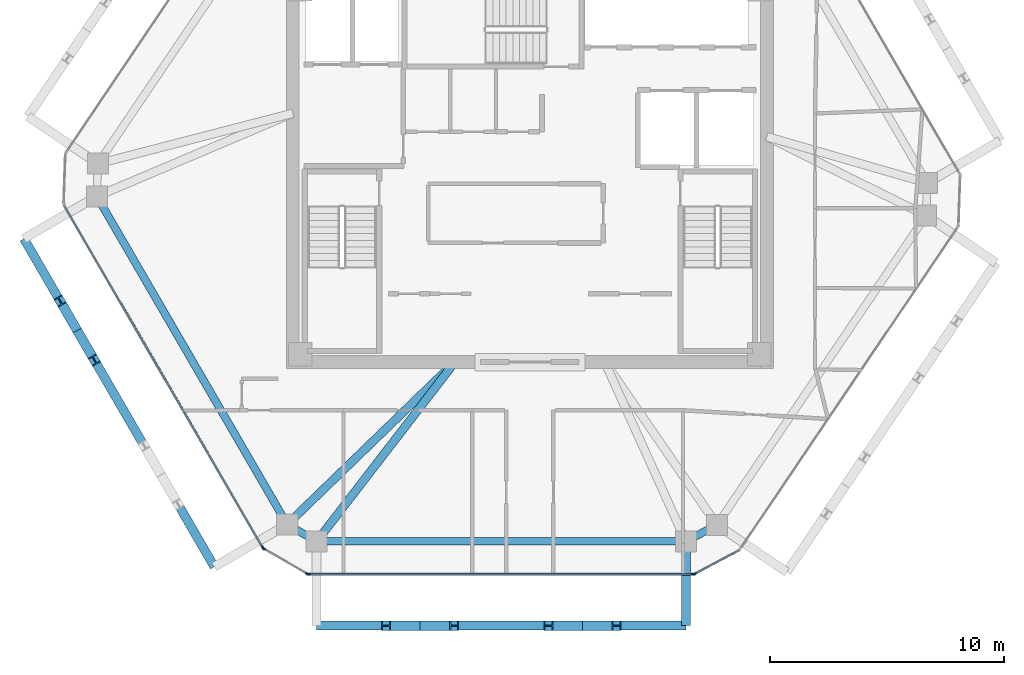
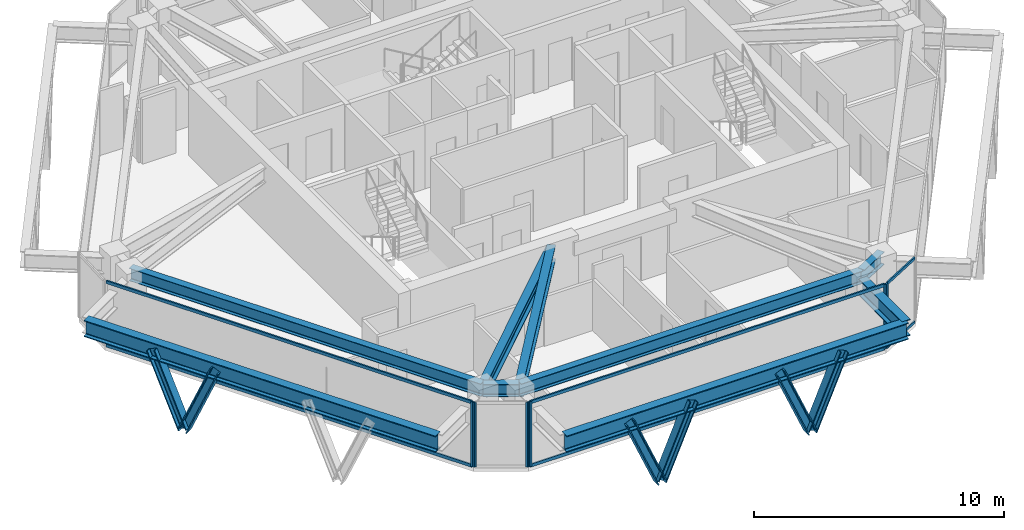
# One storey, part 2 of 11: 18 members, 9 beams, 4 elements without a shape of their own.
"""IFC4 building model written with IfcOpenShell, lengths in metres."""

from ifc_helpers import new_model, si_unit, direction, frame, origin, origin_2d, place, context, subcontext, project, spatial, rectangle, i_section, extrude, source, transform, mapped, material, layer, layer_set, material_profile, profile_set, type_object, type_shapes, element, aggregate, save


model = new_model("IFC4")

# Units and contexts
model_context = context("Model", 3, precision=1e-05, world=origin(), true_north=direction((0.0, 1.0)))
body_context = subcontext(model_context, "Body", "Model", "MODEL_VIEW")
ifc_project = project(units=[si_unit("LENGTHUNIT", "METRE"), si_unit("AREAUNIT", "SQUARE_METRE"), si_unit("VOLUMEUNIT", "CUBIC_METRE"), si_unit("PLANEANGLEUNIT", "RADIAN"), si_unit("MASSUNIT", "GRAM", prefix="KILO")], contexts=[model_context])

# Site, building, storey
site_placement = place(None, origin())
site = spatial("IfcSite", under=ifc_project, at=site_placement, CompositionType="ELEMENT")
building_placement = place(site_placement, origin())
building = spatial("IfcBuilding", under=site, at=building_placement, Name="Durnholm Broadcast Tower", CompositionType="ELEMENT")
storey_placement = place(building_placement, frame((0.0, 0.0, 258.10009765625)))
storey = spatial("IfcBuildingStorey", under=building, at=storey_placement, Name="L72", CompositionType="ELEMENT", Elevation=258.10009765625)

# Beams
ifc_material_1 = material(Name="Steel ASTM A992 Grade 50", Category="steel")
ifc_material_profile_1 = material_profile(ifc_material_1, i_section(OverallWidth=0.385009765625, OverallDepth=0.802978515625, WebThickness=0.023681640625, FlangeThickness=0.0419921875, FilletRadius=0.032958984375, at=origin_2d()), Name="W30X261")
ifc_profile_set_1 = profile_set([ifc_material_profile_1], Name="Steel ASTM A992 Grade 50")
beam_type_1 = type_object("IfcBeamType", Name="BM-EXO-TIE", PredefinedType="USERDEFINED", material=ifc_profile_set_1)
shared_shape_1 = source(origin(), body_context, "Body", "SweptSolid", [
    extrude(i_section(OverallWidth=0.385009765625, OverallDepth=0.802978515625, WebThickness=0.023681640625, FlangeThickness=0.0419921875, FilletRadius=0.032958984375, at=origin_2d()), origin(), (0.0, 0.0, 1.0), 3.4560546875),
])
beam_1_placement = place(storey_placement, frame((6.663818359375, -15.929931640625, 2.408447265625), z_axis=(0.0, -1.0, 0.0), x_axis=(1.0, 0.0, 0.0)))
element("IfcBeam", 1, at=beam_1_placement, inside=storey, type_object=beam_type_1, Name="L72 exoskeleton stand-off tie bracket F1.2", ObjectType="GIRDER", PredefinedType="USERDEFINED", context=body_context, shape_type="MappedRepresentation", body=[
    mapped(shared_shape_1, transform((0.0, 0.0, 0.0), x_axis=(1.0, 0.0, 0.0), y_axis=(0.0, 1.0, 0.0), z_axis=(0.0, 0.0, 1.0), scale=1.0)),
])
ifc_material_profile_2 = material_profile(ifc_material_1, i_section(OverallWidth=0.3251953125, OverallDepth=0.6162109375, WebThickness=0.013916015625, FlangeThickness=0.021484375, FilletRadius=0.02783203125, at=origin_2d()), Name="W24X117")
ifc_profile_set_2 = profile_set([ifc_material_profile_2], Name="Steel ASTM A992 Grade 50")
beam_type_2 = type_object("IfcBeamType", Name="STL-SP-W24X117", PredefinedType="SPANDREL", material=ifc_profile_set_2)
shared_shape_2 = source(origin(), body_context, "Body", "SweptSolid", [
    extrude(i_section(OverallWidth=0.3251953125, OverallDepth=0.6162109375, WebThickness=0.013916015625, FlangeThickness=0.021484375, FilletRadius=0.02783203125, at=origin_2d()), origin(), (0.0, 0.0, 1.0), 16.202880859375),
])
beam_2_placement = place(storey_placement, frame((-10.361328125, -15.061767578125, 2.8369140625), z_axis=(-0.501948303381, 0.864897624423, 0.0), x_axis=(-0.864897624423, -0.501948303381, 0.0)))
element("IfcBeam", 2, at=beam_2_placement, inside=storey, type_object=beam_type_2, Name="L72 perimeter spandrel girder 01", PredefinedType="SPANDREL", context=body_context, shape_type="MappedRepresentation", body=[
    mapped(shared_shape_2, transform((0.0, 0.0, 0.0), x_axis=(1.0, 0.0, 0.0), y_axis=(0.0, 1.0, 0.0), z_axis=(0.0, 0.0, 1.0), scale=1.0)),
])
shared_shape_3 = source(origin(), body_context, "Body", "SweptSolid", [
    extrude(i_section(OverallWidth=0.3251953125, OverallDepth=0.6162109375, WebThickness=0.013916015625, FlangeThickness=0.021484375, FilletRadius=0.02783203125, at=origin_2d()), origin(), (0.0, 0.0, 1.0), 1.502685546875),
])
beam_3_placement = place(storey_placement, frame((7.990966796875, -15.081298828125, 2.8369140625), z_axis=(-0.883241909673, -0.468917614296, 0.0), x_axis=(0.468917614296, -0.883241909673, 0.0)))
element("IfcBeam", 3, at=beam_3_placement, inside=storey, type_object=beam_type_2, Name="L72 perimeter spandrel girder 10", PredefinedType="SPANDREL", context=body_context, shape_type="MappedRepresentation", body=[
    mapped(shared_shape_3, transform((0.0, 0.0, 0.0), x_axis=(1.0, 0.0, 0.0), y_axis=(0.0, 1.0, 0.0), z_axis=(0.0, 0.0, 1.0), scale=1.0)),
])
shared_shape_4 = source(origin(), body_context, "Body", "SweptSolid", [
    extrude(i_section(OverallWidth=0.3251953125, OverallDepth=0.6162109375, WebThickness=0.013916015625, FlangeThickness=0.021484375, FilletRadius=0.02783203125, at=origin_2d()), origin(), (0.0, 0.0, 1.0), 15.767578125),
])
beam_4_placement = place(storey_placement, frame((6.663818359375, -15.785888671875, 2.8369140625), z_axis=(-1.0, 0.0, 0.0), x_axis=(0.0, -1.0, 0.0)))
element("IfcBeam", 4, at=beam_4_placement, inside=storey, type_object=beam_type_2, Name="L72 perimeter spandrel girder 11", PredefinedType="SPANDREL", context=body_context, shape_type="MappedRepresentation", body=[
    mapped(shared_shape_4, transform((0.0, 0.0, 0.0), x_axis=(1.0, 0.0, 0.0), y_axis=(0.0, 1.0, 0.0), z_axis=(0.0, 0.0, 1.0), scale=1.0)),
])
shared_shape_5 = source(origin(), body_context, "Body", "SweptSolid", [
    extrude(i_section(OverallWidth=0.3251953125, OverallDepth=0.6162109375, WebThickness=0.013916015625, FlangeThickness=0.021484375, FilletRadius=0.02783203125, at=origin_2d()), origin(), (0.0, 0.0, 1.0), 1.451171875),
])
type_shapes(beam_type_2, [shared_shape_2, shared_shape_3, shared_shape_4, shared_shape_5])
beam_5_placement = place(storey_placement, frame((-9.103759765625, -15.785888671875, 2.8369140625), z_axis=(-0.866602615509, 0.498998904601, 0.0), x_axis=(-0.498998904601, -0.866602615509, 0.0)))
element("IfcBeam", 5, at=beam_5_placement, inside=storey, type_object=beam_type_2, Name="L72 perimeter spandrel girder 12", PredefinedType="SPANDREL", context=body_context, shape_type="MappedRepresentation", body=[
    mapped(shared_shape_5, transform((0.0, 0.0, 0.0), x_axis=(1.0, 0.0, 0.0), y_axis=(0.0, 1.0, 0.0), z_axis=(0.0, 0.0, 1.0), scale=1.0)),
])
shared_shape_6 = source(origin(), body_context, "Body", "SweptSolid", [
    extrude(i_section(OverallWidth=0.385009765625, OverallDepth=0.802978515625, WebThickness=0.023681640625, FlangeThickness=0.0419921875, FilletRadius=0.032958984375, at=origin_2d()), origin(), (0.0, 0.0, 1.0), 15.767578125),
])
beam_6_placement = place(storey_placement, frame((-9.103759765625, -19.385986328125, 2.408447265625), z_axis=(1.0, 0.0, 0.0), x_axis=(0.0, 1.0, 0.0)))
element("IfcBeam", 6, at=beam_6_placement, inside=storey, type_object=beam_type_1, Name="L72 exoskeleton collector spandrel F1", PredefinedType="SPANDREL", context=body_context, shape_type="MappedRepresentation", body=[
    mapped(shared_shape_6, transform((0.0, 0.0, 0.0), x_axis=(1.0, 0.0, 0.0), y_axis=(0.0, 1.0, 0.0), z_axis=(0.0, 0.0, 1.0), scale=1.0)),
])
shared_shape_7 = source(origin(), body_context, "Body", "SweptSolid", [
    extrude(i_section(OverallWidth=0.385009765625, OverallDepth=0.802978515625, WebThickness=0.023681640625, FlangeThickness=0.0419921875, FilletRadius=0.032958984375, at=origin_2d()), origin(), (0.0, 0.0, 1.0), 16.20263671875),
])
type_shapes(beam_type_1, [shared_shape_1, shared_shape_6, shared_shape_7])
beam_7_placement = place(storey_placement, frame((-21.60791015625, -2.85498046875, 2.408447265625), z_axis=(0.501943573333, -0.864900369516, 0.0), x_axis=(0.864900369516, 0.501943573333, 0.0)))
element("IfcBeam", 7, at=beam_7_placement, inside=storey, type_object=beam_type_1, Name="L72 exoskeleton collector spandrel F6", PredefinedType="SPANDREL", context=body_context, shape_type="MappedRepresentation", body=[
    mapped(shared_shape_7, transform((0.0, 0.0, 0.0), x_axis=(1.0, 0.0, 0.0), y_axis=(0.0, 1.0, 0.0), z_axis=(0.0, 0.0, 1.0), scale=1.0)),
])
ifc_material_profile_3 = material_profile(ifc_material_1, i_section(OverallWidth=0.3564453125, OverallDepth=0.713623046875, WebThickness=0.01904296875, FlangeThickness=0.033935546875, FilletRadius=0.030517578125, at=origin_2d()), Name="W27X194")
ifc_profile_set_3 = profile_set([ifc_material_profile_3], Name="Steel ASTM A992 Grade 50")
beam_type_3 = type_object("IfcBeamType", Name="STL-GR-W27X194", PredefinedType="USERDEFINED", material=ifc_profile_set_3)
shared_shape_8 = source(origin(), body_context, "Body", "SweptSolid", [
    extrude(i_section(OverallWidth=0.3564453125, OverallDepth=0.713623046875, WebThickness=0.01904296875, FlangeThickness=0.033935546875, FilletRadius=0.030517578125, at=origin_2d()), origin(), (0.0, 0.0, 1.0), 9.97021484375),
])
beam_8_placement = place(storey_placement, frame((-3.199951171875, -8.125, 2.7880859375), z_axis=(-0.718281140352, -0.695752975857, 0.0), x_axis=(0.695752975857, -0.718281140352, 0.0)))
element("IfcBeam", 8, at=beam_8_placement, inside=storey, type_object=beam_type_3, Name="L72 radial primary floor girder 01", ObjectType="GIRDER", PredefinedType="USERDEFINED", context=body_context, shape_type="MappedRepresentation", body=[
    mapped(shared_shape_8, transform((0.0, 0.0, 0.0), x_axis=(1.0, 0.0, 0.0), y_axis=(0.0, 1.0, 0.0), z_axis=(0.0, 0.0, 1.0), scale=1.0)),
])
shared_shape_9 = source(origin(), body_context, "Body", "SweptSolid", [
    extrude(i_section(OverallWidth=0.3564453125, OverallDepth=0.713623046875, WebThickness=0.01904296875, FlangeThickness=0.033935546875, FilletRadius=0.030517578125, at=origin_2d()), origin(), (0.0, 0.0, 1.0), 9.671875),
])
type_shapes(beam_type_3, [shared_shape_8, shared_shape_9])
beam_9_placement = place(storey_placement, frame((-3.199951171875, -8.125, 2.7880859375), z_axis=(-0.610413181287, -0.792083169945, 0.0), x_axis=(0.792083169945, -0.610413181287, 0.0)))
element("IfcBeam", 9, at=beam_9_placement, inside=storey, type_object=beam_type_3, Name="L72 radial primary floor girder 12", ObjectType="GIRDER", PredefinedType="USERDEFINED", context=body_context, shape_type="MappedRepresentation", body=[
    mapped(shared_shape_9, transform((0.0, 0.0, 0.0), x_axis=(1.0, 0.0, 0.0), y_axis=(0.0, 1.0, 0.0), z_axis=(0.0, 0.0, 1.0), scale=1.0)),
])

# Members
ifc_material_2 = material(Name="Steel ASTM A913 Grade 65", Category="steel")
ifc_material_profile_4 = material_profile(ifc_material_2, i_section(OverallWidth=0.40625, OverallDepth=0.416015625, WebThickness=0.02978515625, FlangeThickness=0.048095703125, FilletRadius=0.030517578125, at=origin_2d()), Name="W14X257")
ifc_profile_set_4 = profile_set([ifc_material_profile_4], Name="Steel ASTM A913 Grade 65")
member_type_1 = type_object("IfcMemberType", Name="STL-DG-W14X257", PredefinedType="BRACE", material=ifc_profile_set_4)
shared_shape_10 = source(origin(), body_context, "Body", "SweptSolid", [
    extrude(i_section(OverallWidth=0.40625, OverallDepth=0.416015625, WebThickness=0.02978515625, FlangeThickness=0.048095703125, FilletRadius=0.030517578125, at=origin_2d()), origin(), (0.0, 0.0, 1.0), 3.699462890625),
])
member_1_placement = place(storey_placement, frame((-4.688720703125, -19.385986328125, -0.99169921875), z_axis=(0.394102474633, 0.0, 0.919066504388), x_axis=(0.0, 1.0, 0.0)))
element("IfcMember", 10, at=member_1_placement, inside=storey, type_object=member_type_1, Name="L72 stand-off diagrid brace F1.D1.2", PredefinedType="BRACE", context=body_context, shape_type="MappedRepresentation", body=[
    mapped(shared_shape_10, transform((0.0, 0.0, 0.0), x_axis=(1.0, 0.0, 0.0), y_axis=(0.0, 1.0, 0.0), z_axis=(0.0, 0.0, 1.0), scale=1.0)),
])
shared_shape_11 = source(origin(), body_context, "Body", "SweptSolid", [
    extrude(i_section(OverallWidth=0.40625, OverallDepth=0.416015625, WebThickness=0.02978515625, FlangeThickness=0.048095703125, FilletRadius=0.030517578125, at=origin_2d()), origin(), (0.0, 0.0, 1.0), 3.69970703125),
])
type_shapes(member_type_1, [shared_shape_10, shared_shape_11])
for number, where, z_axis, x_axis, name in (
    (11, (-4.688720703125, -19.385986328125, -0.99169921875), (-0.394158214547, 0.0, 0.919042600702), (0.0, -1.0, 0.0), "L72 stand-off diagrid brace F1.D1.1"),
    (12, (2.248779296875, -19.385986328125, -0.99169921875), (-0.394158214547, 0.0, 0.919042600702), (0.0, -1.0, 0.0), "L72 stand-off diagrid brace F1.D2.1"),
    (13, (2.248779296875, -19.385986328125, -0.99169921875), (0.394158214547, 0.0, 0.919042600702), (0.0, 1.0, 0.0), "L72 stand-off diagrid brace F1.D2.2"),
    (14, (-19.330810546875, -6.77880859375, -0.99169921875), (-0.197775087187, 0.340909609745, 0.919056936687), (-0.864978863669, -0.501808295473, 0.0), "L72 stand-off diagrid brace F6.D1.1"),
    (15, (-19.330810546875, -6.77880859375, -0.99169921875), (0.197901901785, -0.340900708443, 0.9190329397), (0.864833498681, 0.50205878098, 0.0), "L72 stand-off diagrid brace F6.D1.2"),
):
    element("IfcMember", number, at=place(storey_placement, frame(where, z_axis=z_axis, x_axis=x_axis)), inside=storey, type_object=member_type_1, Name=name, PredefinedType="BRACE", context=body_context, shape_type="MappedRepresentation", body=[
        mapped(shared_shape_11, transform((0.0, 0.0, 0.0), x_axis=(1.0, 0.0, 0.0), y_axis=(0.0, 1.0, 0.0), z_axis=(0.0, 0.0, 1.0), scale=1.0)),
    ])

# Curtain wall, members
ifc_material_3 = material(Name="Aluminium and Solar Control IGU", Category="aluminium")
ifc_layer_1 = layer(ifc_material_3, 0.1650390625)
ifc_layer_set_1 = layer_set([ifc_layer_1], Name="Aluminium and Solar Control IGU")
curtain_wall_type_1 = type_object("IfcCurtainWallType", Name="CW-SYS-5", PredefinedType="NOTDEFINED", material=ifc_layer_set_1)
curtain_wall_1_placement = place(storey_placement, origin())
curtain_wall_1 = element("IfcCurtainWall", 16, at=curtain_wall_1_placement, inside=storey, type_object=curtain_wall_type_1, Name="L72 curtain wall CW-CORNER CW-L72-CRN-09", PredefinedType="NOTDEFINED")
ifc_material_4 = material(Name="Aluminium 6063-T6", Category="aluminium")
ifc_material_profile_5 = material_profile(ifc_material_4, rectangle(XDim=0.06494140625, YDim=0.1298828125, at=origin_2d()), Name="CWT65X130")
ifc_profile_set_5 = profile_set([ifc_material_profile_5], Name="Aluminium 6063-T6")
member_type_2 = type_object("IfcMemberType", Name="CW-SYS-5-TRN", PredefinedType="USERDEFINED", material=ifc_profile_set_5)
shared_shape_12 = source(origin(), body_context, "Body", "SweptSolid", [
    extrude(rectangle(XDim=0.06494140625, YDim=0.1298828125, at=origin_2d()), origin(), (0.0, 0.0, 1.0), 2.070068359375),
])
type_shapes(member_type_2, [shared_shape_12])
member_2_placement = place(storey_placement, frame((8.89794921875, -16.1845703125, 0.032470703125), z_axis=(-0.883164581026, -0.469063239682, 0.0), x_axis=(0.469063239682, -0.883164581026, 0.0)))
member_2 = element("IfcMember", 17, at=member_2_placement, type_object=member_type_2, Name="CW-CORNER transom 1.1", ObjectType="TRANSOM", PredefinedType="USERDEFINED", context=body_context, shape_type="MappedRepresentation", body=[
    mapped(shared_shape_12, transform((0.0, 0.0, 0.0), x_axis=(1.0, 0.0, 0.0), y_axis=(0.0, 1.0, 0.0), z_axis=(0.0, 0.0, 1.0), scale=1.0)),
])
member_3_placement = place(storey_placement, frame((8.89794921875, -16.1845703125, 3.12744140625), z_axis=(-0.883164581026, -0.469063239682, 0.0), x_axis=(0.469063239682, -0.883164581026, 0.0)))
member_3 = element("IfcMember", 18, at=member_3_placement, type_object=member_type_2, Name="CW-CORNER transom 1.2", ObjectType="TRANSOM", PredefinedType="USERDEFINED", context=body_context, shape_type="MappedRepresentation", body=[
    mapped(shared_shape_12, transform((0.0, 0.0, 0.0), x_axis=(1.0, 0.0, 0.0), y_axis=(0.0, 1.0, 0.0), z_axis=(0.0, 0.0, 1.0), scale=1.0)),
])

ifc_layer_2 = layer(ifc_material_3, 0.18994140625)
ifc_layer_set_2 = layer_set([ifc_layer_2], Name="Aluminium and Solar Control IGU")
curtain_wall_type_2 = type_object("IfcCurtainWallType", Name="CW-SYS-4", PredefinedType="NOTDEFINED", material=ifc_layer_set_2)
curtain_wall_2_placement = place(storey_placement, origin())
curtain_wall_2 = element("IfcCurtainWall", 19, at=curtain_wall_2_placement, inside=storey, type_object=curtain_wall_type_2, Name="L72 curtain wall CW-Z34-VIS CW-L72-F10", PredefinedType="NOTDEFINED")
ifc_material_profile_6 = material_profile(ifc_material_4, rectangle(XDim=0.070068359375, YDim=0.14990234375, at=origin_2d()), Name="CWT70X150")
ifc_profile_set_6 = profile_set([ifc_material_profile_6], Name="Aluminium 6063-T6")
member_type_3 = type_object("IfcMemberType", Name="CW-SYS-4-TRN", PredefinedType="USERDEFINED", material=ifc_profile_set_6)
shared_shape_13 = source(origin(), body_context, "Body", "SweptSolid", [
    extrude(rectangle(XDim=0.070068359375, YDim=0.14990234375, at=origin_2d()), origin(), (0.0, 0.0, 1.0), 16.350341796875),
])
member_4_placement = place(storey_placement, frame((6.9423828125, -17.18603515625, 0.034912109375), z_axis=(-1.0, 0.0, 0.0), x_axis=(0.0, -1.0, 0.0)))
member_4 = element("IfcMember", 20, at=member_4_placement, type_object=member_type_3, Name="CW-Z34-VIS transom 1.1", ObjectType="TRANSOM", PredefinedType="USERDEFINED", context=body_context, shape_type="MappedRepresentation", body=[
    mapped(shared_shape_13, transform((0.0, 0.0, 0.0), x_axis=(1.0, 0.0, 0.0), y_axis=(0.0, 1.0, 0.0), z_axis=(0.0, 0.0, 1.0), scale=1.0)),
])
member_5_placement = place(storey_placement, frame((6.9423828125, -17.18603515625, 3.125), z_axis=(-1.0, 0.0, 0.0), x_axis=(0.0, -1.0, 0.0)))
member_5 = element("IfcMember", 21, at=member_5_placement, type_object=member_type_3, Name="CW-Z34-VIS transom 1.2", ObjectType="TRANSOM", PredefinedType="USERDEFINED", context=body_context, shape_type="MappedRepresentation", body=[
    mapped(shared_shape_13, transform((0.0, 0.0, 0.0), x_axis=(1.0, 0.0, 0.0), y_axis=(0.0, 1.0, 0.0), z_axis=(0.0, 0.0, 1.0), scale=1.0)),
])

curtain_wall_3_placement = place(storey_placement, origin())
curtain_wall_3 = element("IfcCurtainWall", 22, at=curtain_wall_3_placement, inside=storey, type_object=curtain_wall_type_2, Name="L72 curtain wall CW-Z34-VIS CW-L72-F12", PredefinedType="NOTDEFINED")
shared_shape_14 = source(origin(), body_context, "Body", "SweptSolid", [
    extrude(rectangle(XDim=0.070068359375, YDim=0.14990234375, at=origin_2d()), origin(), (0.0, 0.0, 1.0), 16.83984375),
])
type_shapes(member_type_3, [shared_shape_13, shared_shape_14])
member_6_placement = place(storey_placement, frame((-11.41943359375, -16.027587890625, 0.034912109375), z_axis=(-0.501945239029, 0.86489940283, 0.0), x_axis=(-0.86489940283, -0.501945239029, 0.0)))
member_6 = element("IfcMember", 23, at=member_6_placement, type_object=member_type_3, Name="CW-Z34-VIS transom 1.1", ObjectType="TRANSOM", PredefinedType="USERDEFINED", context=body_context, shape_type="MappedRepresentation", body=[
    mapped(shared_shape_14, transform((0.0, 0.0, 0.0), x_axis=(1.0, 0.0, 0.0), y_axis=(0.0, 1.0, 0.0), z_axis=(0.0, 0.0, 1.0), scale=1.0)),
])
member_7_placement = place(storey_placement, frame((-11.41943359375, -16.027587890625, 3.125), z_axis=(-0.501945239029, 0.86489940283, 0.0), x_axis=(-0.86489940283, -0.501945239029, 0.0)))
member_7 = element("IfcMember", 24, at=member_7_placement, type_object=member_type_3, Name="CW-Z34-VIS transom 1.2", ObjectType="TRANSOM", PredefinedType="USERDEFINED", context=body_context, shape_type="MappedRepresentation", body=[
    mapped(shared_shape_14, transform((0.0, 0.0, 0.0), x_axis=(1.0, 0.0, 0.0), y_axis=(0.0, 1.0, 0.0), z_axis=(0.0, 0.0, 1.0), scale=1.0)),
])

# Member
ifc_material_profile_7 = material_profile(ifc_material_4, rectangle(XDim=0.06494140625, YDim=0.1650390625, at=origin_2d()), Name="CWM65X165")
ifc_profile_set_7 = profile_set([ifc_material_profile_7], Name="Aluminium 6063-T6")
member_type_4 = type_object("IfcMemberType", Name="CW-SYS-5-MUL", PredefinedType="MULLION", material=ifc_profile_set_7)
shared_shape_15 = source(origin(), body_context, "Body", "SweptSolid", [
    extrude(rectangle(XDim=0.06494140625, YDim=0.1650390625, at=origin_2d()), origin(), (0.0, 0.0, 1.0), 3.159912109375),
])
type_shapes(member_type_4, [shared_shape_15])
member_8_placement = place(storey_placement, frame((7.041015625, -17.170654296875, 0.0), z_axis=(0.0, 0.0, 1.0), x_axis=(0.469006771575, -0.883194569853, 0.0)))
member_8 = element("IfcMember", 25, at=member_8_placement, type_object=member_type_4, Name="CW-CORNER mullion 2", PredefinedType="MULLION", context=body_context, shape_type="MappedRepresentation", body=[
    mapped(shared_shape_15, transform((0.0, 0.0, 0.0), x_axis=(1.0, 0.0, 0.0), y_axis=(0.0, 1.0, 0.0), z_axis=(0.0, 0.0, 1.0), scale=1.0)),
])

aggregate(curtain_wall_1, [member_8, member_2, member_3])

# Curtain wall, members
curtain_wall_4_placement = place(storey_placement, origin())
curtain_wall_4 = element("IfcCurtainWall", 26, at=curtain_wall_4_placement, inside=storey, type_object=curtain_wall_type_1, Name="L72 curtain wall CW-CORNER CW-L72-CRN-11", PredefinedType="NOTDEFINED")
member_9_placement = place(storey_placement, frame((-9.506103515625, -17.169677734375, 0.0), z_axis=(0.0, 0.0, 1.0), x_axis=(-0.499058582333, -0.866568249707, 0.0)))
member_9 = element("IfcMember", 27, at=member_9_placement, type_object=member_type_4, Name="CW-CORNER mullion 1", PredefinedType="MULLION", context=body_context, shape_type="MappedRepresentation", body=[
    mapped(shared_shape_15, transform((0.0, 0.0, 0.0), x_axis=(1.0, 0.0, 0.0), y_axis=(0.0, 1.0, 0.0), z_axis=(0.0, 0.0, 1.0), scale=1.0)),
])
member_10_placement = place(storey_placement, frame((-11.356201171875, -16.104248046875, 0.0), z_axis=(0.0, 0.0, 1.0), x_axis=(-0.499058582333, -0.866568249707, 0.0)))
member_10 = element("IfcMember", 28, at=member_10_placement, type_object=member_type_4, Name="CW-CORNER mullion 2", PredefinedType="MULLION", context=body_context, shape_type="MappedRepresentation", body=[
    mapped(shared_shape_15, transform((0.0, 0.0, 0.0), x_axis=(1.0, 0.0, 0.0), y_axis=(0.0, 1.0, 0.0), z_axis=(0.0, 0.0, 1.0), scale=1.0)),
])
aggregate(curtain_wall_4, [member_9, member_10])

# Member
ifc_material_profile_8 = material_profile(ifc_material_4, rectangle(XDim=0.070068359375, YDim=0.18994140625, at=origin_2d()), Name="CWM70X190")
ifc_profile_set_8 = profile_set([ifc_material_profile_8], Name="Aluminium 6063-T6")
member_type_5 = type_object("IfcMemberType", Name="CW-SYS-4-MUL", PredefinedType="MULLION", material=ifc_profile_set_8)
shared_shape_16 = source(origin(), body_context, "Body", "SweptSolid", [
    extrude(rectangle(XDim=0.070068359375, YDim=0.18994140625, at=origin_2d()), origin(), (0.0, 0.0, 1.0), 3.159912109375),
])
type_shapes(member_type_5, [shared_shape_16])
member_11_placement = place(storey_placement, frame((6.977294921875, -17.18603515625, 0.0), z_axis=(0.0, 0.0, 1.0), x_axis=(0.0, -1.0, 0.0)))
member_11 = element("IfcMember", 29, at=member_11_placement, type_object=member_type_5, Name="CW-Z34-VIS mullion 1", PredefinedType="MULLION", context=body_context, shape_type="MappedRepresentation", body=[
    mapped(shared_shape_16, transform((0.0, 0.0, 0.0), x_axis=(1.0, 0.0, 0.0), y_axis=(0.0, 1.0, 0.0), z_axis=(0.0, 0.0, 1.0), scale=1.0)),
])

member_12_placement = place(storey_placement, frame((-9.443115234375, -17.18603515625, 0.0), z_axis=(0.0, 0.0, 1.0), x_axis=(0.0, -1.0, 0.0)))
member_12 = element("IfcMember", 30, at=member_12_placement, type_object=member_type_5, Name="CW-Z34-VIS mullion 2", PredefinedType="MULLION", context=body_context, shape_type="MappedRepresentation", body=[
    mapped(shared_shape_16, transform((0.0, 0.0, 0.0), x_axis=(1.0, 0.0, 0.0), y_axis=(0.0, 1.0, 0.0), z_axis=(0.0, 0.0, 1.0), scale=1.0)),
])

aggregate(curtain_wall_2, [member_11, member_12, member_4, member_5])

member_13_placement = place(storey_placement, frame((-11.40185546875, -16.057861328125, 0.0), z_axis=(0.0, 0.0, 1.0), x_axis=(-0.864899883824, -0.50194441023, 0.0)))
member_13 = element("IfcMember", 31, at=member_13_placement, type_object=member_type_5, Name="CW-Z34-VIS mullion 1", PredefinedType="MULLION", context=body_context, shape_type="MappedRepresentation", body=[
    mapped(shared_shape_16, transform((0.0, 0.0, 0.0), x_axis=(1.0, 0.0, 0.0), y_axis=(0.0, 1.0, 0.0), z_axis=(0.0, 0.0, 1.0), scale=1.0)),
])

aggregate(curtain_wall_3, [member_13, member_6, member_7])

save(model, "model.ifc")
